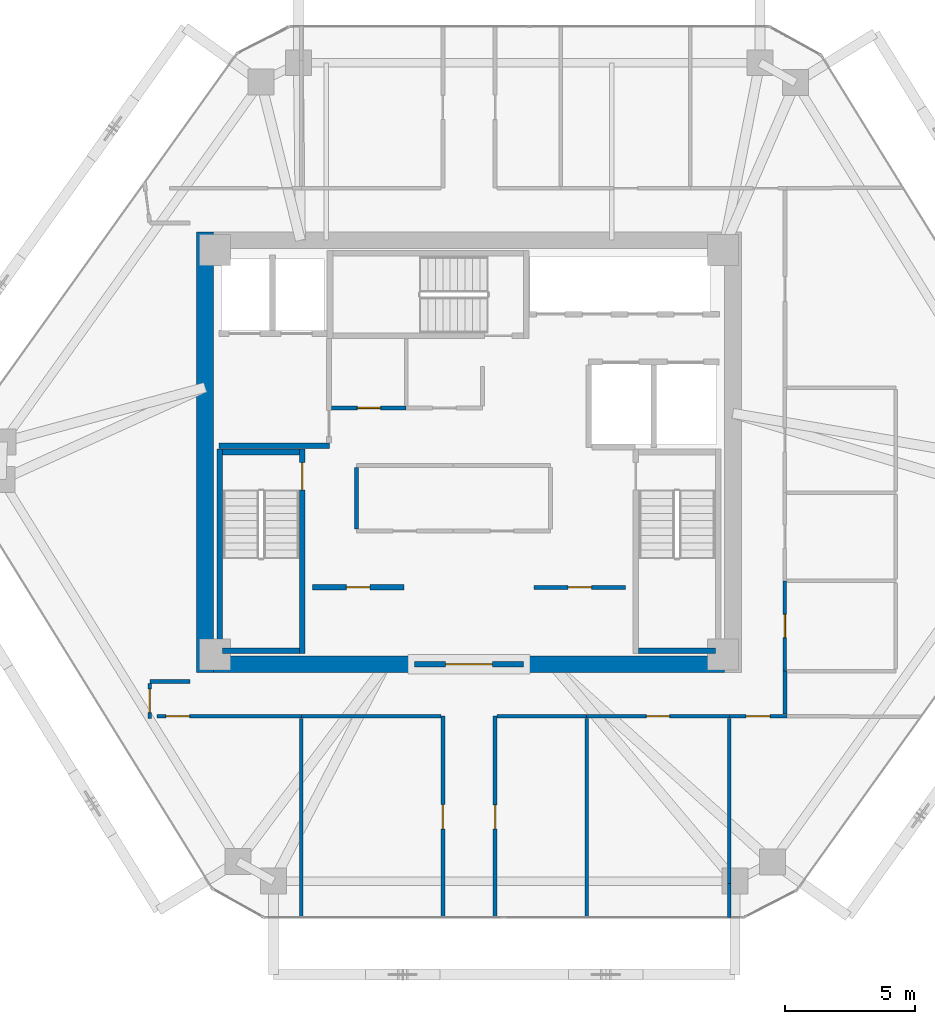
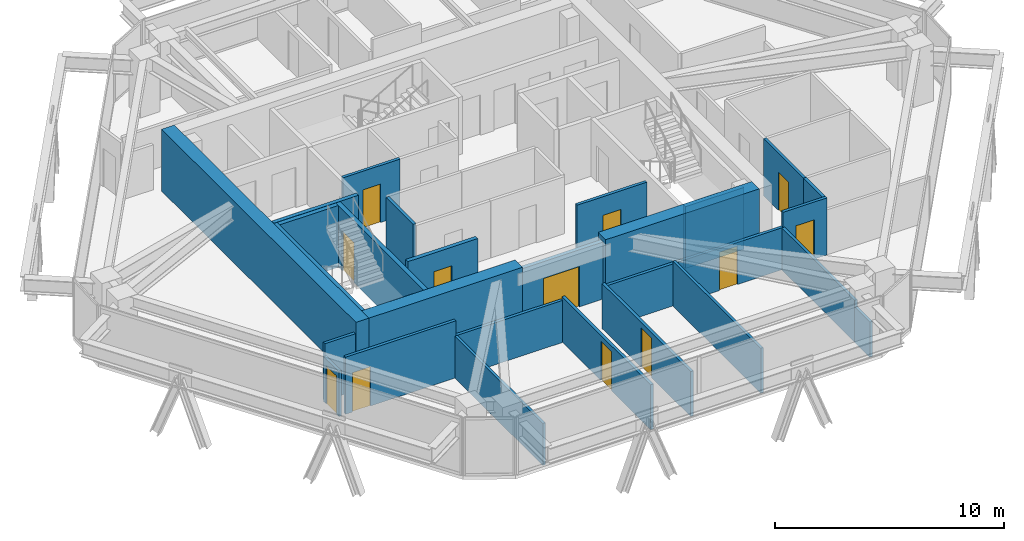
# One storey, part 10 of 14: 29 walls, 12 doors, 12 openings.
"""IFC4 building model written with IfcOpenShell, lengths in metres."""

from ifc_helpers import new_model, si_unit, direction, frame, frame_2d, origin, place, context, subcontext, project, spatial, rectangle, extrude, source, transform, mapped, material, layer, layer_set, type_object, type_shapes, element, fill, save


model = new_model("IFC4")

# Units and contexts
model_context = context("Model", 3, precision=1e-05, world=origin(), true_north=direction((0.0, 1.0)))
body_context = subcontext(model_context, "Body", "Model", "MODEL_VIEW")
ifc_project = project(units=[si_unit("LENGTHUNIT", "METRE"), si_unit("AREAUNIT", "SQUARE_METRE"), si_unit("VOLUMEUNIT", "CUBIC_METRE"), si_unit("PLANEANGLEUNIT", "RADIAN"), si_unit("MASSUNIT", "GRAM", prefix="KILO")], contexts=[model_context])

# Site, building, storey
site_placement = place(None, origin())
site = spatial("IfcSite", under=ifc_project, at=site_placement, CompositionType="ELEMENT")
building_placement = place(site_placement, origin())
building = spatial("IfcBuilding", under=site, at=building_placement, Name="Durnholm Broadcast Tower", CompositionType="ELEMENT")
storey_placement = place(building_placement, frame((0.0, 0.0, 173.800048828125)))
storey = spatial("IfcBuildingStorey", under=building, at=storey_placement, Name="L47", CompositionType="ELEMENT", Elevation=173.800048828125)

# Walls
ifc_material_1 = material(Name="Concrete C70/85", Category="concrete")
ifc_layer_1 = layer(ifc_material_1, 0.64990234375)
ifc_layer_set_1 = layer_set([ifc_layer_1], Name="Concrete C70/85")
wall_type_1 = type_object("IfcWallType", Name="WALL-CW-650", PredefinedType="SHEAR", material=ifc_layer_set_1)
wall_1_placement = place(storey_placement, frame((-10.175048828125, -8.5, 0.0), z_axis=(0.0, 0.0, 1.0), x_axis=(0.0, 1.0, 0.0)))
element("IfcWall", 1, at=wall_1_placement, inside=storey, type_object=wall_type_1, Name="L47 central core shear wall CW-WEST", PredefinedType="SHEAR", context=body_context, shape_type="SweptSolid", body=[
    extrude(rectangle(XDim=17.0, YDim=0.64990234375, at=frame_2d((8.5, 0.0))), origin(), (0.0, 0.0, 1.0), 3.300048828125),
])
for number, where, z_axis, x_axis, name in (
    (2, (-9.85009765625, -8.175048828125, 0.0), (0.0, 0.0, 1.0), (1.0, 0.0, 0.0), "L47 central core shear wall CW-S1"),
    (3, (2.10009765625, -8.175048828125, 0.0), (0.0, 0.0, 1.0), (1.0, 0.0, 0.0), "L47 central core shear wall CW-S2"),
):
    element("IfcWall", number, at=place(storey_placement, frame(where, z_axis=z_axis, x_axis=x_axis)), inside=storey, type_object=wall_type_1, Name=name, PredefinedType="SHEAR", context=body_context, shape_type="SweptSolid", body=[
        extrude(rectangle(XDim=7.75, YDim=0.64990234375, at=frame_2d((3.875, 0.0))), origin(), (0.0, 0.0, 1.0), 3.300048828125),
    ])

# Wall, opening, door
ifc_material_2 = material(Name="Fire-Rated Gypsum Shaftwall", Category="concrete")
ifc_layer_2 = layer(ifc_material_2, 0.199951171875)
ifc_layer_set_2 = layer_set([ifc_layer_2], Name="Fire-Rated Gypsum Shaftwall")
wall_type_2 = type_object("IfcWallType", Name="WALL-LOB-200", PredefinedType="SOLIDWALL", material=ifc_layer_set_2)
wall_2_placement = place(storey_placement, frame((-2.10009765625, -8.175048828125, 0.0), z_axis=(0.0, 0.0, 1.0), x_axis=(1.0, 0.0, 0.0)))
wall_2 = element("IfcWall", 4, at=wall_2_placement, inside=storey, type_object=wall_type_2, Name="L47 south core lobby fire screen", PredefinedType="SOLIDWALL", context=body_context, shape_type="SweptSolid", body=[
    extrude(rectangle(XDim=4.2001953125, YDim=0.199951171875, at=frame_2d((2.10009765625, 0.0))), origin(), (0.0, 0.0, 1.0), 3.044921875),
])
opening_1_placement = place(wall_2_placement, frame((1.199951171875, 0.0, 0.0)))
opening_1 = element("IfcOpeningElement", 5, at=opening_1_placement, cuts=wall_2, Name="Opening DP-60", PredefinedType="OPENING", context=body_context, shape_type="SweptSolid", body=[
    extrude(rectangle(XDim=1.800048828125, YDim=2.14990234375, at=frame_2d((0.89990234375, 1.074951171875))), frame((0.0, 0.10986328125, 0.0), z_axis=(0.0, -1.0, 0.0), x_axis=(1.0, 0.0, 0.0)), (0.0, 0.0, 1.0), 0.219970703125),
])
ifc_material_3 = material(Name="Fire-Rated Double Corridor Door", Category="steel")
ifc_layer_3 = layer(ifc_material_3, 0.050048828125)
ifc_layer_set_3 = layer_set([ifc_layer_3], Name="Fire-Rated Double Corridor Door")
door_type_1 = type_object("IfcDoorType", Name="DOOR-PAIR-FD60", OperationType="DOUBLE_DOOR_SINGLE_SWING", PredefinedType="DOOR", material=ifc_layer_set_3)
shared_shape_1 = source(origin(), body_context, "Body", "SweptSolid", [
    extrude(rectangle(XDim=1.800048828125, YDim=2.14990234375, at=frame_2d((0.89990234375, 1.074951171875))), frame((0.0, 0.02490234375, 0.0), z_axis=(0.0, -1.0, 0.0), x_axis=(1.0, 0.0, 0.0)), (0.0, 0.0, 1.0), 0.050048828125),
])
type_shapes(door_type_1, [shared_shape_1])
door_1_placement = place(opening_1_placement, origin())
door_1 = element("IfcDoor", 6, at=door_1_placement, inside=storey, type_object=door_type_1, Name="L47 south core lobby double fire door", OperationType="DOUBLE_DOOR_SINGLE_SWING", OverallHeight=2.14990234375, OverallWidth=1.800048828125, PredefinedType="DOOR", context=body_context, shape_type="MappedRepresentation", body=[
    mapped(shared_shape_1, transform((0.0, 0.0, 0.0), x_axis=(1.0, 0.0, 0.0), y_axis=(0.0, 1.0, 0.0), z_axis=(0.0, 0.0, 1.0), scale=1.0)),
])
fill(opening_1, door_1)

# Wall
wall_3_placement = place(storey_placement, frame((-9.64990234375, 0.25, 0.0), z_axis=(0.0, 0.0, 1.0), x_axis=(1.0, 0.0, 0.0)))
element("IfcWall", 7, at=wall_3_placement, inside=storey, type_object=wall_type_2, Name="L47 Fire Service Access Elevator lobby south wall", PredefinedType="SOLIDWALL", context=body_context, shape_type="SweptSolid", body=[
    extrude(rectangle(XDim=4.27001953125, YDim=0.199951171875, at=frame_2d((2.135009765625, 0.0))), origin(), (0.0, 0.0, 1.0), 3.044921875),
])

# Wall, opening, door
wall_4_placement = place(storey_placement, frame((-6.0400390625, -5.2099609375, 0.0), z_axis=(0.0, 0.0, 1.0), x_axis=(1.0, 0.0, 0.0)))
wall_4 = element("IfcWall", 8, at=wall_4_placement, inside=storey, type_object=wall_type_2, Name="L47 Broadcast Signal Rack Room corridor partition", PredefinedType="SOLIDWALL", context=body_context, shape_type="SweptSolid", body=[
    extrude(rectangle(XDim=3.530029296875, YDim=0.199951171875, at=frame_2d((1.76513671875, 0.0))), origin(), (0.0, 0.0, 1.0), 3.044921875),
])
opening_2_placement = place(wall_4_placement, frame((1.31494140625, 0.0, 0.0)))
opening_2 = element("IfcOpeningElement", 9, at=opening_2_placement, cuts=wall_4, Name="Opening DC-60R", PredefinedType="OPENING", context=body_context, shape_type="SweptSolid", body=[
    extrude(rectangle(XDim=0.89990234375, YDim=2.050048828125, at=frame_2d((0.449951171875, 1.02490234375))), frame((0.0, 0.10986328125, 0.0), z_axis=(0.0, -1.0, 0.0), x_axis=(1.0, 0.0, 0.0)), (0.0, 0.0, 1.0), 0.219970703125),
])
ifc_material_4 = material(Name="Fire-Rated Core Service Door", Category="steel")
ifc_layer_4 = layer(ifc_material_4, 0.050048828125)
ifc_layer_set_4 = layer_set([ifc_layer_4], Name="Fire-Rated Core Service Door")
door_type_2 = type_object("IfcDoorType", Name="DOOR-CORE-FD60-R", OperationType="NOTDEFINED", PredefinedType="DOOR", material=ifc_layer_set_4)
shared_shape_2 = source(origin(), body_context, "Body", "SweptSolid", [
    extrude(rectangle(XDim=0.89990234375, YDim=2.050048828125, at=frame_2d((0.449951171875, 1.02490234375))), frame((0.0, 0.02490234375, 0.0), z_axis=(0.0, -1.0, 0.0), x_axis=(1.0, 0.0, 0.0)), (0.0, 0.0, 1.0), 0.050048828125),
])
type_shapes(door_type_2, [shared_shape_2])
door_2_placement = place(opening_2_placement, origin())
door_2 = element("IfcDoor", 10, at=door_2_placement, inside=storey, type_object=door_type_2, Name="L47 Broadcast Signal Rack Room entrance door", OperationType="SINGLE_SWING_RIGHT", OverallHeight=2.050048828125, OverallWidth=0.89990234375, PredefinedType="DOOR", context=body_context, shape_type="MappedRepresentation", body=[
    mapped(shared_shape_2, transform((0.0, 0.0, 0.0), x_axis=(1.0, 0.0, 0.0), y_axis=(0.0, 1.0, 0.0), z_axis=(0.0, 0.0, 1.0), scale=1.0)),
])
fill(opening_2, door_2)

# Walls
ifc_material_5 = material(Name="Gypsum Metal Stud Partition", Category="concrete")
ifc_layer_5 = layer(ifc_material_5, 0.135009765625)
ifc_layer_set_5 = layer_set([ifc_layer_5], Name="Gypsum Metal Stud Partition")
wall_type_3 = type_object("IfcWallType", Name="WALL-PART-135", PredefinedType="PARTITIONING", material=ifc_layer_set_5)
wall_5_placement = place(storey_placement, frame((-6.4599609375, -10.259033203125, 0.0), z_axis=(0.0, 0.0, 1.0), x_axis=(0.0, -1.0, 0.0)))
element("IfcWall", 11, at=wall_5_placement, inside=storey, type_object=wall_type_3, Name="L47 room dividing partition 15.16", PredefinedType="PARTITIONING", context=body_context, shape_type="SweptSolid", body=[
    extrude(rectangle(XDim=7.682861328125, YDim=0.135009765625, at=frame_2d((3.84130859375, 0.0))), origin(), (0.0, 0.0, 1.0), 2.24169921875),
])
wall_6_placement = place(storey_placement, frame((4.5400390625, -10.259033203125, 0.0), z_axis=(0.0, 0.0, 1.0), x_axis=(0.0, -1.0, 0.0)))
element("IfcWall", 12, at=wall_6_placement, inside=storey, type_object=wall_type_3, Name="L47 room dividing partition 17.18", PredefinedType="PARTITIONING", context=body_context, shape_type="SweptSolid", body=[
    extrude(rectangle(XDim=7.682861328125, YDim=0.135009765625, at=frame_2d((3.84130859375, 0.0))), origin(), (0.0, 0.0, 1.0), 2.398681640625),
])
wall_7_placement = place(storey_placement, frame((10.0400390625, -10.259033203125, 0.0), z_axis=(0.0, 0.0, 1.0), x_axis=(0.0, -1.0, 0.0)))
element("IfcWall", 13, at=wall_7_placement, inside=storey, type_object=wall_type_3, Name="L47 room dividing partition 18.19", PredefinedType="PARTITIONING", context=body_context, shape_type="SweptSolid", body=[
    extrude(rectangle(XDim=6.366943359375, YDim=0.135009765625, at=frame_2d((3.18359375, 0.0))), origin(), (0.0, 0.0, 1.0), 2.24169921875),
])
wall_8_placement = place(storey_placement, frame((10.0400390625, -16.6259765625, 0.0), z_axis=(0.0, 0.0, 1.0), x_axis=(0.0, -1.0, 0.0)))
element("IfcWall", 14, at=wall_8_placement, inside=storey, type_object=wall_type_3, Name="L47 room dividing partition 18.19", PredefinedType="PARTITIONING", context=body_context, shape_type="SweptSolid", body=[
    extrude(rectangle(XDim=1.31591796875, YDim=0.135009765625, at=frame_2d((0.657958984375, 0.0))), origin(), (0.0, 0.0, 1.0), 1.876953125),
])

# Wall, opening, door
ifc_material_6 = material(Name="Acoustic Gypsum Stud Partition", Category="concrete")
ifc_layer_6 = layer(ifc_material_6, 0.14990234375)
ifc_layer_set_6 = layer_set([ifc_layer_6], Name="Acoustic Gypsum Stud Partition")
wall_type_4 = type_object("IfcWallType", Name="WALL-PART-150", PredefinedType="PARTITIONING", material=ifc_layer_set_6)
wall_9_placement = place(storey_placement, frame((2.510009765625, -5.2099609375, 0.0), z_axis=(0.0, 0.0, 1.0), x_axis=(1.0, 0.0, 0.0)))
wall_9 = element("IfcWall", 15, at=wall_9_placement, inside=storey, type_object=wall_type_4, Name="L47 Editorial Beverage Pantry corridor partition", PredefinedType="PARTITIONING", context=body_context, shape_type="SweptSolid", body=[
    extrude(rectangle(XDim=3.530029296875, YDim=0.14990234375, at=frame_2d((1.76513671875, 0.0))), origin(), (0.0, 0.0, 1.0), 3.044921875),
])
opening_3_placement = place(wall_9_placement, frame((1.31494140625, 0.0, 0.0)))
opening_3 = element("IfcOpeningElement", 16, at=opening_3_placement, cuts=wall_9, Name="Opening DC-60L", PredefinedType="OPENING", context=body_context, shape_type="SweptSolid", body=[
    extrude(rectangle(XDim=0.89990234375, YDim=2.050048828125, at=frame_2d((0.449951171875, 1.02490234375))), frame((0.0, 0.0849609375, 0.0), z_axis=(0.0, -1.0, 0.0), x_axis=(1.0, 0.0, 0.0)), (0.0, 0.0, 1.0), 0.169921875),
])
ifc_layer_7 = layer(ifc_material_4, 0.050048828125)
ifc_layer_set_7 = layer_set([ifc_layer_7], Name="Fire-Rated Core Service Door")
door_type_3 = type_object("IfcDoorType", Name="DOOR-CORE-FD60-L", OperationType="NOTDEFINED", PredefinedType="DOOR", material=ifc_layer_set_7)
shared_shape_3 = source(origin(), body_context, "Body", "SweptSolid", [
    extrude(rectangle(XDim=0.89990234375, YDim=2.050048828125, at=frame_2d((0.449951171875, 1.02490234375))), frame((0.0, 0.02490234375, 0.0), z_axis=(0.0, -1.0, 0.0), x_axis=(1.0, 0.0, 0.0)), (0.0, 0.0, 1.0), 0.050048828125),
])
type_shapes(door_type_3, [shared_shape_3])
door_3_placement = place(opening_3_placement, origin())
door_3 = element("IfcDoor", 17, at=door_3_placement, inside=storey, type_object=door_type_3, Name="L47 Editorial Beverage Pantry entrance door", OperationType="SINGLE_SWING_LEFT", OverallHeight=2.050048828125, OverallWidth=0.89990234375, PredefinedType="DOOR", context=body_context, shape_type="MappedRepresentation", body=[
    mapped(shared_shape_3, transform((0.0, 0.0, 0.0), x_axis=(1.0, 0.0, 0.0), y_axis=(0.0, 1.0, 0.0), z_axis=(0.0, 0.0, 1.0), scale=1.0)),
])
fill(opening_3, door_3)

# Wall
wall_10_placement = place(storey_placement, frame((-4.340087890625, -2.9609375, 0.0), z_axis=(0.0, 0.0, 1.0), x_axis=(0.0, 1.0, 0.0)))
element("IfcWall", 18, at=wall_10_placement, inside=storey, type_object=wall_type_4, Name="L47 Digital Tape Archive Store corridor partition", PredefinedType="PARTITIONING", context=body_context, shape_type="SweptSolid", body=[
    extrude(rectangle(XDim=2.371826171875, YDim=0.14990234375, at=frame_2d((1.18603515625, 0.0))), origin(), (0.0, 0.0, 1.0), 3.044921875),
])

# Wall, opening, door
wall_11_placement = place(storey_placement, frame((-2.419921875, 1.7099609375, 0.0), z_axis=(0.0, 0.0, 1.0), x_axis=(-1.0, 0.0, 0.0)))
wall_11 = element("IfcWall", 19, at=wall_11_placement, inside=storey, type_object=wall_type_4, Name="L47 Core Equipment Store corridor partition", PredefinedType="PARTITIONING", context=body_context, shape_type="SweptSolid", body=[
    extrude(rectangle(XDim=2.8759765625, YDim=0.14990234375, at=frame_2d((1.43798828125, 0.0))), origin(), (0.0, 0.0, 1.0), 3.044921875),
])
opening_4_placement = place(wall_11_placement, frame((0.988037109375, 0.0, 0.0)))
opening_4 = element("IfcOpeningElement", 20, at=opening_4_placement, cuts=wall_11, Name="Opening DC-60R", PredefinedType="OPENING", context=body_context, shape_type="SweptSolid", body=[
    extrude(rectangle(XDim=0.89990234375, YDim=2.050048828125, at=frame_2d((0.449951171875, 1.02490234375))), frame((0.0, 0.0849609375, 0.0), z_axis=(0.0, -1.0, 0.0), x_axis=(1.0, 0.0, 0.0)), (0.0, 0.0, 1.0), 0.169921875),
])
door_4_placement = place(opening_4_placement, origin())
door_4 = element("IfcDoor", 21, at=door_4_placement, inside=storey, type_object=door_type_2, Name="L47 Core Equipment Store entrance door", OperationType="SINGLE_SWING_RIGHT", OverallHeight=2.050048828125, OverallWidth=0.89990234375, PredefinedType="DOOR", context=body_context, shape_type="MappedRepresentation", body=[
    mapped(shared_shape_2, transform((0.0, 0.0, 0.0), x_axis=(1.0, 0.0, 0.0), y_axis=(0.0, 1.0, 0.0), z_axis=(0.0, 0.0, 1.0), scale=1.0)),
])
fill(opening_4, door_4)

wall_12_placement = place(storey_placement, frame((-12.0400390625, -10.179931640625, 0.0), z_axis=(0.0, 0.0, 1.0), x_axis=(1.0, 0.0, 0.0)))
wall_12 = element("IfcWall", 22, at=wall_12_placement, inside=storey, type_object=wall_type_4, Name="L47 Producer Office 1 corridor partition", PredefinedType="PARTITIONING", context=body_context, shape_type="SweptSolid", body=[
    extrude(rectangle(XDim=5.580078125, YDim=0.14990234375, at=frame_2d((2.7900390625, 0.0))), origin(), (0.0, 0.0, 1.0), 3.044921875),
])
opening_5_placement = place(wall_12_placement, frame((0.35009765625, 0.0, 0.0)))
opening_5 = element("IfcOpeningElement", 23, at=opening_5_placement, cuts=wall_12, Name="Opening DR-92R", PredefinedType="OPENING", context=body_context, shape_type="SweptSolid", body=[
    extrude(rectangle(XDim=0.919921875, YDim=2.10009765625, at=frame_2d((0.4599609375, 1.050048828125))), frame((0.0, 0.0849609375, 0.0), z_axis=(0.0, -1.0, 0.0), x_axis=(1.0, 0.0, 0.0)), (0.0, 0.0, 1.0), 0.169921875),
])
ifc_material_7 = material(Name="Oak Veneer Office Door", Category="wood")
ifc_layer_8 = layer(ifc_material_7, 0.050048828125)
ifc_layer_set_8 = layer_set([ifc_layer_8], Name="Oak Veneer Office Door")
door_type_4 = type_object("IfcDoorType", Name="DOOR-RM-920R", OperationType="NOTDEFINED", PredefinedType="DOOR", material=ifc_layer_set_8)
shared_shape_4 = source(origin(), body_context, "Body", "SweptSolid", [
    extrude(rectangle(XDim=0.919921875, YDim=2.10009765625, at=frame_2d((0.4599609375, 1.050048828125))), frame((0.0, 0.02490234375, 0.0), z_axis=(0.0, -1.0, 0.0), x_axis=(1.0, 0.0, 0.0)), (0.0, 0.0, 1.0), 0.050048828125),
])
type_shapes(door_type_4, [shared_shape_4])
door_5_placement = place(opening_5_placement, origin())
door_5 = element("IfcDoor", 24, at=door_5_placement, inside=storey, type_object=door_type_4, Name="L47 Producer Office 1 entrance door", OperationType="SINGLE_SWING_RIGHT", OverallHeight=2.10009765625, OverallWidth=0.919921875, PredefinedType="DOOR", context=body_context, shape_type="MappedRepresentation", body=[
    mapped(shared_shape_4, transform((0.0, 0.0, 0.0), x_axis=(1.0, 0.0, 0.0), y_axis=(0.0, 1.0, 0.0), z_axis=(0.0, 0.0, 1.0), scale=1.0)),
])
fill(opening_5, door_5)

wall_13_placement = place(storey_placement, frame((-1.010009765625, -10.179931640625, 0.0), z_axis=(0.0, 0.0, 1.0), x_axis=(0.0, -1.0, 0.0)))
wall_13 = element("IfcWall", 25, at=wall_13_placement, inside=storey, type_object=wall_type_4, Name="L47 Producer Office 2 corridor partition", PredefinedType="PARTITIONING", context=body_context, shape_type="SweptSolid", body=[
    extrude(rectangle(XDim=7.761962890625, YDim=0.14990234375, at=frame_2d((3.880859375, 0.0))), origin(), (0.0, 0.0, 1.0), 2.398681640625),
])
opening_6_placement = place(wall_13_placement, frame((3.406005859375, 0.0, 0.0)))
opening_6 = element("IfcOpeningElement", 26, at=opening_6_placement, cuts=wall_13, Name="Opening DR-95L", PredefinedType="OPENING", context=body_context, shape_type="SweptSolid", body=[
    extrude(rectangle(XDim=0.949951171875, YDim=2.10009765625, at=frame_2d((0.47509765625, 1.050048828125))), frame((0.0, 0.0849609375, 0.0), z_axis=(0.0, -1.0, 0.0), x_axis=(1.0, 0.0, 0.0)), (0.0, 0.0, 1.0), 0.169921875),
])
ifc_material_8 = material(Name="Acoustic Oak Veneer Timber Door", Category="wood")
ifc_layer_9 = layer(ifc_material_8, 0.050048828125)
ifc_layer_set_9 = layer_set([ifc_layer_9], Name="Acoustic Oak Veneer Timber Door")
door_type_5 = type_object("IfcDoorType", Name="DOOR-RM-950L", OperationType="NOTDEFINED", PredefinedType="DOOR", material=ifc_layer_set_9)
shared_shape_5 = source(origin(), body_context, "Body", "SweptSolid", [
    extrude(rectangle(XDim=0.949951171875, YDim=2.10009765625, at=frame_2d((0.47509765625, 1.050048828125))), frame((0.0, 0.02490234375, 0.0), z_axis=(0.0, -1.0, 0.0), x_axis=(1.0, 0.0, 0.0)), (0.0, 0.0, 1.0), 0.050048828125),
])
type_shapes(door_type_5, [shared_shape_5])
door_6_placement = place(opening_6_placement, origin())
door_6 = element("IfcDoor", 27, at=door_6_placement, inside=storey, type_object=door_type_5, Name="L47 Producer Office 2 entrance door", OperationType="SINGLE_SWING_LEFT", OverallHeight=2.10009765625, OverallWidth=0.949951171875, PredefinedType="DOOR", context=body_context, shape_type="MappedRepresentation", body=[
    mapped(shared_shape_5, transform((0.0, 0.0, 0.0), x_axis=(1.0, 0.0, 0.0), y_axis=(0.0, 1.0, 0.0), z_axis=(0.0, 0.0, 1.0), scale=1.0)),
])
fill(opening_6, door_6)

# Wall
wall_14_placement = place(storey_placement, frame((-6.4599609375, -10.179931640625, 0.0), z_axis=(0.0, 0.0, 1.0), x_axis=(1.0, 0.0, 0.0)))
element("IfcWall", 28, at=wall_14_placement, inside=storey, type_object=wall_type_4, Name="L47 Producer Office 2 corridor partition", PredefinedType="PARTITIONING", context=body_context, shape_type="SweptSolid", body=[
    extrude(rectangle(XDim=5.370849609375, YDim=0.14990234375, at=frame_2d((2.685546875, 0.0))), origin(), (0.0, 0.0, 1.0), 2.24169921875),
])

# Wall, opening, door
wall_15_placement = place(storey_placement, frame((1.010009765625, -17.94189453125, 0.0), z_axis=(0.0, 0.0, 1.0), x_axis=(0.0, 1.0, 0.0)))
wall_15 = element("IfcWall", 29, at=wall_15_placement, inside=storey, type_object=wall_type_4, Name="L47 Festival Office corridor partition", PredefinedType="PARTITIONING", context=body_context, shape_type="SweptSolid", body=[
    extrude(rectangle(XDim=7.761962890625, YDim=0.14990234375, at=frame_2d((3.880859375, 0.0))), origin(), (0.0, 0.0, 1.0), 2.398681640625),
])
opening_7_placement = place(wall_15_placement, frame((3.4208984375, 0.0, 0.0)))
opening_7 = element("IfcOpeningElement", 30, at=opening_7_placement, cuts=wall_15, Name="Opening DR-92R", PredefinedType="OPENING", context=body_context, shape_type="SweptSolid", body=[
    extrude(rectangle(XDim=0.919921875, YDim=2.10009765625, at=frame_2d((0.4599609375, 1.050048828125))), frame((0.0, 0.0849609375, 0.0), z_axis=(0.0, -1.0, 0.0), x_axis=(1.0, 0.0, 0.0)), (0.0, 0.0, 1.0), 0.169921875),
])
door_7_placement = place(opening_7_placement, origin())
door_7 = element("IfcDoor", 31, at=door_7_placement, inside=storey, type_object=door_type_4, Name="L47 Festival Office entrance door", OperationType="SINGLE_SWING_RIGHT", OverallHeight=2.10009765625, OverallWidth=0.919921875, PredefinedType="DOOR", context=body_context, shape_type="MappedRepresentation", body=[
    mapped(shared_shape_4, transform((0.0, 0.0, 0.0), x_axis=(1.0, 0.0, 0.0), y_axis=(0.0, 1.0, 0.0), z_axis=(0.0, 0.0, 1.0), scale=1.0)),
])
fill(opening_7, door_7)

# Wall
wall_16_placement = place(storey_placement, frame((1.089111328125, -10.179931640625, 0.0), z_axis=(0.0, 0.0, 1.0), x_axis=(1.0, 0.0, 0.0)))
element("IfcWall", 32, at=wall_16_placement, inside=storey, type_object=wall_type_4, Name="L47 Festival Office corridor partition", PredefinedType="PARTITIONING", context=body_context, shape_type="SweptSolid", body=[
    extrude(rectangle(XDim=3.450927734375, YDim=0.14990234375, at=frame_2d((1.7255859375, 0.0))), origin(), (0.0, 0.0, 1.0), 2.24169921875),
])

# Wall, opening, door
wall_17_placement = place(storey_placement, frame((4.5400390625, -10.179931640625, 0.0), z_axis=(0.0, 0.0, 1.0), x_axis=(1.0, 0.0, 0.0)))
wall_17 = element("IfcWall", 33, at=wall_17_placement, inside=storey, type_object=wall_type_4, Name="L47 Vault Store corridor partition", PredefinedType="PARTITIONING", context=body_context, shape_type="SweptSolid", body=[
    extrude(rectangle(XDim=5.5, YDim=0.14990234375, at=frame_2d((2.75, 0.0))), origin(), (0.0, 0.0, 1.0), 2.24169921875),
])
opening_8_placement = place(wall_17_placement, frame((2.300048828125, 0.0, 0.0)))
opening_8 = element("IfcOpeningElement", 34, at=opening_8_placement, cuts=wall_17, Name="Opening DC-60L", PredefinedType="OPENING", context=body_context, shape_type="SweptSolid", body=[
    extrude(rectangle(XDim=0.89990234375, YDim=2.050048828125, at=frame_2d((0.449951171875, 1.02490234375))), frame((0.0, 0.0849609375, 0.0), z_axis=(0.0, -1.0, 0.0), x_axis=(1.0, 0.0, 0.0)), (0.0, 0.0, 1.0), 0.169921875),
])
door_8_placement = place(opening_8_placement, origin())
door_8 = element("IfcDoor", 35, at=door_8_placement, inside=storey, type_object=door_type_3, Name="L47 Vault Store entrance door", OperationType="SINGLE_SWING_LEFT", OverallHeight=2.050048828125, OverallWidth=0.89990234375, PredefinedType="DOOR", context=body_context, shape_type="MappedRepresentation", body=[
    mapped(shared_shape_3, transform((0.0, 0.0, 0.0), x_axis=(1.0, 0.0, 0.0), y_axis=(0.0, 1.0, 0.0), z_axis=(0.0, 0.0, 1.0), scale=1.0)),
])
fill(opening_8, door_8)

wall_18_placement = place(storey_placement, frame((10.0400390625, -10.179931640625, 0.0), z_axis=(0.0, 0.0, 1.0), x_axis=(1.0, 0.0, 0.0)))
wall_18 = element("IfcWall", 36, at=wall_18_placement, inside=storey, type_object=wall_type_4, Name="L47 Documentary Office 1 corridor partition", PredefinedType="PARTITIONING", context=body_context, shape_type="SweptSolid", body=[
    extrude(rectangle(XDim=2.219970703125, YDim=0.14990234375, at=frame_2d((1.10986328125, 0.0))), origin(), (0.0, 0.0, 1.0), 3.044921875),
])
opening_9_placement = place(wall_18_placement, frame((0.64990234375, 0.0, 0.0)))
opening_9 = element("IfcOpeningElement", 37, at=opening_9_placement, cuts=wall_18, Name="Opening DR-92R", PredefinedType="OPENING", context=body_context, shape_type="SweptSolid", body=[
    extrude(rectangle(XDim=0.919921875, YDim=2.10009765625, at=frame_2d((0.4599609375, 1.050048828125))), frame((0.0, 0.0849609375, 0.0), z_axis=(0.0, -1.0, 0.0), x_axis=(1.0, 0.0, 0.0)), (0.0, 0.0, 1.0), 0.169921875),
])
door_9_placement = place(opening_9_placement, origin())
door_9 = element("IfcDoor", 38, at=door_9_placement, inside=storey, type_object=door_type_4, Name="L47 Documentary Office 1 entrance door", OperationType="SINGLE_SWING_RIGHT", OverallHeight=2.10009765625, OverallWidth=0.919921875, PredefinedType="DOOR", context=body_context, shape_type="MappedRepresentation", body=[
    mapped(shared_shape_4, transform((0.0, 0.0, 0.0), x_axis=(1.0, 0.0, 0.0), y_axis=(0.0, 1.0, 0.0), z_axis=(0.0, 0.0, 1.0), scale=1.0)),
])
fill(opening_9, door_9)

# Wall
wall_19_placement = place(storey_placement, frame((-10.760009765625, -8.840087890625, 0.0), z_axis=(0.0, 0.0, 1.0), x_axis=(-1.0, 0.0, 0.0)))
element("IfcWall", 39, at=wall_19_placement, inside=storey, type_object=wall_type_4, Name="L47 Rough-Cut Office 1 corridor partition", PredefinedType="PARTITIONING", context=body_context, shape_type="SweptSolid", body=[
    extrude(rectangle(XDim=1.550048828125, YDim=0.14990234375, at=frame_2d((0.77490234375, 0.0))), origin(), (0.0, 0.0, 1.0), 3.044921875),
])

# Wall, opening, door
wall_20_placement = place(storey_placement, frame((-12.31005859375, -8.9189453125, 0.0), z_axis=(0.0, 0.0, 1.0), x_axis=(0.0, -1.0, 0.0)))
wall_20 = element("IfcWall", 40, at=wall_20_placement, inside=storey, type_object=wall_type_4, Name="L47 Rough-Cut Office 1 corridor partition", PredefinedType="PARTITIONING", context=body_context, shape_type="SweptSolid", body=[
    extrude(rectangle(XDim=1.341064453125, YDim=0.14990234375, at=frame_2d((0.67041015625, 0.0))), origin(), (0.0, 0.0, 1.0), 2.398681640625),
])
opening_10_placement = place(wall_20_placement, frame((0.220458984375, 0.0, 0.0)))
opening_10 = element("IfcOpeningElement", 41, at=opening_10_placement, cuts=wall_20, Name="Opening DW-90R", PredefinedType="OPENING", context=body_context, shape_type="SweptSolid", body=[
    extrude(rectangle(XDim=0.89990234375, YDim=2.050048828125, at=frame_2d((0.449951171875, 1.02490234375))), frame((0.0, 0.0849609375, 0.0), z_axis=(0.0, -1.0, 0.0), x_axis=(1.0, 0.0, 0.0)), (0.0, 0.0, 1.0), 0.169921875),
])
ifc_material_9 = material(Name="Laminate Restroom Door", Category="steel")
ifc_layer_10 = layer(ifc_material_9, 0.050048828125)
ifc_layer_set_10 = layer_set([ifc_layer_10], Name="Laminate Restroom Door")
door_type_6 = type_object("IfcDoorType", Name="DOOR-WC-900R", OperationType="NOTDEFINED", PredefinedType="DOOR", material=ifc_layer_set_10)
shared_shape_6 = source(origin(), body_context, "Body", "SweptSolid", [
    extrude(rectangle(XDim=0.89990234375, YDim=2.050048828125, at=frame_2d((0.449951171875, 1.02490234375))), frame((0.0, 0.02490234375, 0.0), z_axis=(0.0, -1.0, 0.0), x_axis=(1.0, 0.0, 0.0)), (0.0, 0.0, 1.0), 0.050048828125),
])
type_shapes(door_type_6, [shared_shape_6])
door_10_placement = place(opening_10_placement, origin())
door_10 = element("IfcDoor", 42, at=door_10_placement, inside=storey, type_object=door_type_6, Name="L47 Rough-Cut Office 1 entrance door", OperationType="SINGLE_SWING_RIGHT", OverallHeight=2.050048828125, OverallWidth=0.89990234375, PredefinedType="DOOR", context=body_context, shape_type="MappedRepresentation", body=[
    mapped(shared_shape_6, transform((0.0, 0.0, 0.0), x_axis=(1.0, 0.0, 0.0), y_axis=(0.0, 1.0, 0.0), z_axis=(0.0, 0.0, 1.0), scale=1.0)),
])
fill(opening_10, door_10)

# Wall
wall_21_placement = place(storey_placement, frame((12.179931640625, -10.10107421875, 0.0), z_axis=(0.0, 0.0, 1.0), x_axis=(0.0, 1.0, 0.0)))
element("IfcWall", 43, at=wall_21_placement, inside=storey, type_object=wall_type_4, Name="L47 Archival Office corridor partition", PredefinedType="PARTITIONING", context=body_context, shape_type="SweptSolid", body=[
    extrude(rectangle(XDim=1.6611328125, YDim=0.14990234375, at=frame_2d((0.83056640625, 0.0))), origin(), (0.0, 0.0, 1.0), 3.044921875),
])

# Wall, opening, door
ifc_material_10 = material(Name="Concrete C50/60", Category="concrete")
ifc_layer_11 = layer(ifc_material_10, 0.219970703125)
ifc_layer_set_11 = layer_set([ifc_layer_11], Name="Concrete C50/60")
wall_type_5 = type_object("IfcWallType", Name="WALL-SW-220", PredefinedType="SHEAR", material=ifc_layer_set_11)
wall_22_placement = place(storey_placement, frame((-6.429931640625, -7.77001953125, -0.239990234375), z_axis=(0.0, 0.0, 1.0), x_axis=(0.0, 1.0, 0.0)))
wall_22 = element("IfcWall", 44, at=wall_22_placement, inside=storey, type_object=wall_type_5, Name="L47 stair ST-1 structural shaft wall E", PredefinedType="SHEAR", context=body_context, shape_type="SweptSolid", body=[
    extrude(rectangle(XDim=7.89013671875, YDim=0.219970703125, at=frame_2d((3.945068359375, 0.0))), origin(), (0.0, 0.0, 1.0), 3.300048828125),
])
opening_11_placement = place(wall_22_placement, frame((6.320068359375, 0.0, 0.0)))
opening_11 = element("IfcOpeningElement", 45, at=opening_11_placement, cuts=wall_22, Name="Opening DS-90L", PredefinedType="OPENING", context=body_context, shape_type="SweptSolid", body=[
    extrude(rectangle(XDim=1.050048828125, YDim=2.14990234375, at=frame_2d((0.52490234375, 1.074951171875))), frame((0.0, 0.1201171875, 0.0), z_axis=(0.0, -1.0, 0.0), x_axis=(1.0, 0.0, 0.0)), (0.0, 0.0, 1.0), 0.239990234375),
])
ifc_material_11 = material(Name="Fire-Rated Steel Door", Category="steel")
ifc_layer_12 = layer(ifc_material_11, 0.050048828125)
ifc_layer_set_12 = layer_set([ifc_layer_12], Name="Fire-Rated Steel Door")
door_type_7 = type_object("IfcDoorType", Name="DOOR-ST-FD90-L", OperationType="NOTDEFINED", PredefinedType="DOOR", material=ifc_layer_set_12)
shared_shape_7 = source(origin(), body_context, "Body", "SweptSolid", [
    extrude(rectangle(XDim=1.050048828125, YDim=2.14990234375, at=frame_2d((0.52490234375, 1.074951171875))), frame((0.0, 0.02490234375, 0.0), z_axis=(0.0, -1.0, 0.0), x_axis=(1.0, 0.0, 0.0)), (0.0, 0.0, 1.0), 0.050048828125),
])
type_shapes(door_type_7, [shared_shape_7])
door_11_placement = place(opening_11_placement, origin())
door_11 = element("IfcDoor", 46, at=door_11_placement, inside=storey, type_object=door_type_7, Name="L47 exit stair ST-1 fire door", OperationType="SINGLE_SWING_LEFT", OverallHeight=2.14990234375, OverallWidth=1.050048828125, PredefinedType="DOOR", context=body_context, shape_type="MappedRepresentation", body=[
    mapped(shared_shape_7, transform((0.0, 0.0, 0.0), x_axis=(1.0, 0.0, 0.0), y_axis=(0.0, 1.0, 0.0), z_axis=(0.0, 0.0, 1.0), scale=1.0)),
])
fill(opening_11, door_11)

# Walls
wall_23_placement = place(storey_placement, frame((-9.610107421875, 0.1201171875, -0.239990234375), z_axis=(0.0, 0.0, 1.0), x_axis=(0.0, -1.0, 0.0)))
element("IfcWall", 47, at=wall_23_placement, inside=storey, type_object=wall_type_5, Name="L47 stair ST-1 structural shaft wall W", PredefinedType="SHEAR", context=body_context, shape_type="SweptSolid", body=[
    extrude(rectangle(XDim=7.89013671875, YDim=0.219970703125, at=frame_2d((3.945068359375, 0.0))), origin(), (0.0, 0.0, 1.0), 3.300048828125),
])
for number, where, z_axis, x_axis, name in (
    (48, (-9.5, -7.659912109375, -0.239990234375), (0.0, 0.0, 1.0), (1.0, 0.0, 0.0), "L47 stair ST-1 structural shaft wall S"),
    (49, (-6.5400390625, 0.010009765625, -0.239990234375), (0.0, 0.0, 1.0), (-1.0, 0.0, 0.0), "L47 stair ST-1 structural shaft wall N"),
    (50, (6.5400390625, -7.659912109375, -0.239990234375), (0.0, 0.0, 1.0), (1.0, 0.0, 0.0), "L47 stair ST-2 structural shaft wall S"),
):
    element("IfcWall", number, at=place(storey_placement, frame(where, z_axis=z_axis, x_axis=x_axis)), inside=storey, type_object=wall_type_5, Name=name, PredefinedType="SHEAR", context=body_context, shape_type="SweptSolid", body=[
        extrude(rectangle(XDim=2.9599609375, YDim=0.219970703125, at=frame_2d((1.47998046875, 0.0))), origin(), (0.0, 0.0, 1.0), 3.300048828125),
    ])

# Wall, opening, door
ifc_material_12 = material(Name="Moisture-Resistant Tile Partition", Category="concrete")
ifc_layer_13 = layer(ifc_material_12, 0.139892578125)
ifc_layer_set_13 = layer_set([ifc_layer_13], Name="Moisture-Resistant Tile Partition")
wall_type_6 = type_object("IfcWallType", Name="WALL-WC-140", PredefinedType="PARTITIONING", material=ifc_layer_set_13)
wall_24_placement = place(storey_placement, frame((12.179931640625, -8.43994140625, 0.0), z_axis=(0.0, 0.0, 1.0), x_axis=(0.0, 1.0, 0.0)))
wall_24 = element("IfcWall", 51, at=wall_24_placement, inside=storey, type_object=wall_type_6, Name="L47 Men's Restroom corridor partition", PredefinedType="PARTITIONING", context=body_context, shape_type="SweptSolid", body=[
    extrude(rectangle(XDim=3.47998046875, YDim=0.139892578125, at=frame_2d((1.739990234375, 0.0))), origin(), (0.0, 0.0, 1.0), 3.044921875),
])
opening_12_placement = place(wall_24_placement, frame((1.2900390625, 0.0, 0.0)))
opening_12 = element("IfcOpeningElement", 52, at=opening_12_placement, cuts=wall_24, Name="Opening DW-90R", PredefinedType="OPENING", context=body_context, shape_type="SweptSolid", body=[
    extrude(rectangle(XDim=0.89990234375, YDim=2.050048828125, at=frame_2d((0.449951171875, 1.02490234375))), frame((0.0, 0.080078125, 0.0), z_axis=(0.0, -1.0, 0.0), x_axis=(1.0, 0.0, 0.0)), (0.0, 0.0, 1.0), 0.159912109375),
])
door_12_placement = place(opening_12_placement, origin())
door_12 = element("IfcDoor", 53, at=door_12_placement, inside=storey, type_object=door_type_6, Name="L47 Men's Restroom entrance door", OperationType="SINGLE_SWING_RIGHT", OverallHeight=2.050048828125, OverallWidth=0.89990234375, PredefinedType="DOOR", context=body_context, shape_type="MappedRepresentation", body=[
    mapped(shared_shape_6, transform((0.0, 0.0, 0.0), x_axis=(1.0, 0.0, 0.0), y_axis=(0.0, 1.0, 0.0), z_axis=(0.0, 0.0, 1.0), scale=1.0)),
])
fill(opening_12, door_12)

save(model, "model.ifc")
